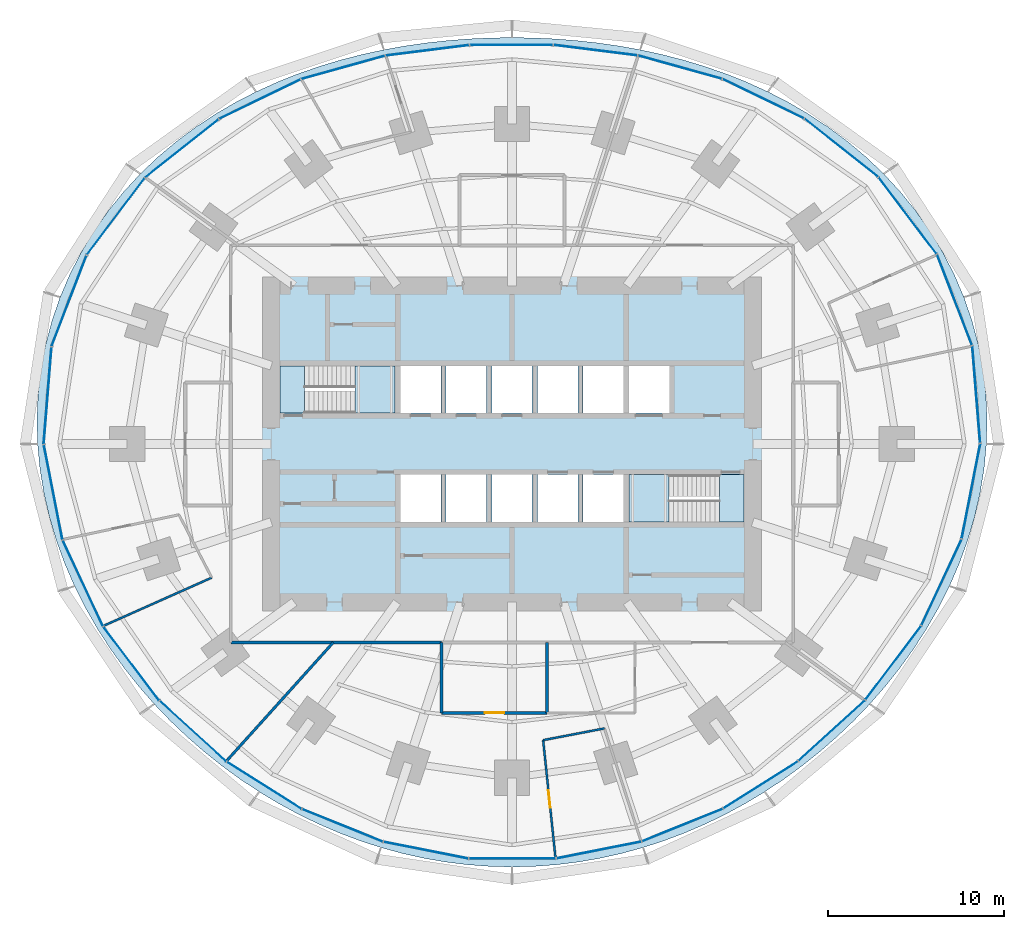
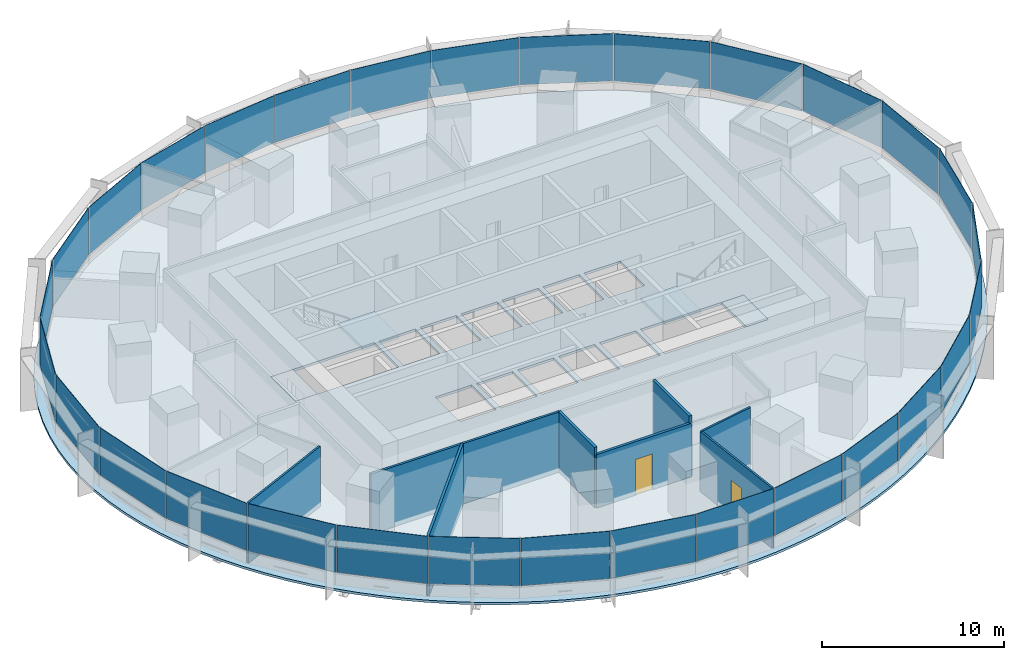
# One storey, part 10 of 15: 30 plates, 8 walls, 5 slabs, 2 doors, 2 openings, 8 elements without a shape of their own.
"""IFC4 building model written with IfcOpenShell, lengths in metres."""

from ifc_helpers import new_model, si_unit, direction, frame, frame_2d, origin, origin_2d, place, context, subcontext, project, spatial, polyline, rectangle, outline, extrude, material, layer, layer_set, type_object, element, fill, aggregate, save


model = new_model("IFC4")

# Units and contexts
model_context = context("Model", 3, precision=1e-05, world=origin(), true_north=direction((0.0, 1.0)))
body_context = subcontext(model_context, "Body", "Model", "MODEL_VIEW")
ifc_project = project(units=[si_unit("LENGTHUNIT", "METRE"), si_unit("AREAUNIT", "SQUARE_METRE"), si_unit("VOLUMEUNIT", "CUBIC_METRE"), si_unit("PLANEANGLEUNIT", "RADIAN"), si_unit("MASSUNIT", "GRAM", prefix="KILO")], contexts=[model_context])

# Site, building, storey
site_placement = place(None, origin())
site = spatial("IfcSite", under=ifc_project, at=site_placement, CompositionType="ELEMENT")
building_placement = place(site_placement, origin())
building = spatial("IfcBuilding", under=site, at=building_placement, Name="Marramba Exchange Tower", CompositionType="ELEMENT")
storey_placement = place(building_placement, frame((0.0, 0.0, 74.199951171875)))
storey = spatial("IfcBuildingStorey", under=building, at=storey_placement, Name="L17", CompositionType="ELEMENT", Elevation=74.199951171875)

# Slab
ifc_material_1 = material(Name="Concrete N40", Category="concrete")
ifc_layer_1 = layer(ifc_material_1, 0.159912109375)
ifc_layer_set_1 = layer_set([ifc_layer_1], Name="Composite floor slab 160")
slab_type_1 = type_object("IfcSlabType", Name="Composite floor slab 160", PredefinedType="FLOOR", material=ifc_layer_set_1)
slab_1_placement = place(storey_placement, frame((0.0, 0.0, -0.159912109375)))
element("IfcSlab", 1, at=slab_1_placement, inside=storey, type_object=slab_type_1, Name="Floor slab L17", PredefinedType="FLOOR", context=body_context, shape_type="SweptSolid", body=[
    extrude(outline(polyline([(27.0, 0.0), (27.035888671875, 1.4169921875), (26.97265625, 2.8349609375), (26.80859375, 4.24609375), (26.5439453125, 5.64208984375), (26.179443359375, 7.0146484375), (25.717529296875, 8.356201171875), (25.16162109375, 9.65869140625), (24.516357421875, 10.915283203125), (23.786865234375, 12.1201171875), (22.9794921875, 13.267333984375), (22.10107421875, 14.3525390625), (21.158447265625, 15.37255859375), (20.159423828125, 16.32470703125), (19.11083984375, 17.20751953125), (18.020263671875, 18.020263671875), (16.89453125, 18.763427734375), (15.740478515625, 19.437744140625), (14.563720703125, 20.04541015625), (13.3701171875, 20.588134765625), (12.164306640625, 21.069091796875), (10.9501953125, 21.4912109375), (9.7314453125, 21.857421875), (8.5107421875, 22.1708984375), (7.289794921875, 22.435302734375), (6.06982421875, 22.6533203125), (4.85205078125, 22.827392578125), (3.636474609375, 22.96044921875), (2.423095703125, 23.053955078125), (1.211181640625, 23.109619140625), (0.0, 23.1279296875), (-1.211181640625, 23.109619140625), (-2.423095703125, 23.053955078125), (-3.636474609375, 22.96044921875), (-4.85205078125, 22.827392578125), (-6.06982421875, 22.6533203125), (-7.289794921875, 22.435302734375), (-8.5107421875, 22.1708984375), (-9.7314453125, 21.857421875), (-10.9501953125, 21.4912109375), (-12.164306640625, 21.069091796875), (-13.3701171875, 20.588134765625), (-14.563720703125, 20.04541015625), (-15.740478515625, 19.437744140625), (-16.89453125, 18.763427734375), (-18.020263671875, 18.020263671875), (-19.11083984375, 17.20751953125), (-20.159423828125, 16.32470703125), (-21.158447265625, 15.37255859375), (-22.10107421875, 14.3525390625), (-22.9794921875, 13.267333984375), (-23.786865234375, 12.1201171875), (-24.516357421875, 10.915283203125), (-25.16162109375, 9.65869140625), (-25.717529296875, 8.356201171875), (-26.179443359375, 7.0146484375), (-26.5439453125, 5.64208984375), (-26.80859375, 4.24609375), (-26.97265625, 2.8349609375), (-27.035888671875, 1.4169921875), (-27.0, 0.0), (-26.8671875, -1.407958984375), (-26.64111328125, -2.800048828125), (-26.326171875, -4.169677734375), (-25.927001953125, -5.510986328125), (-25.44921875, -6.819091796875), (-24.8984375, -8.090087890625), (-24.280517578125, -9.320556640625), (-23.60107421875, -10.5078125), (-22.865234375, -11.650390625), (-22.078369140625, -12.7470703125), (-21.244873046875, -13.796630859375), (-20.36865234375, -14.798583984375), (-19.453369140625, -15.753173828125), (-18.502197265625, -16.659423828125), (-17.517578125, -17.517578125), (-16.501953125, -18.327392578125), (-15.457275390625, -19.088134765625), (-14.385009765625, -19.799072265625), (-13.286865234375, -20.459716796875), (-12.164306640625, -21.069091796875), (-11.01904296875, -21.6259765625), (-9.8525390625, -22.129150390625), (-8.66650390625, -22.577392578125), (-7.463134765625, -22.968994140625), (-6.244140625, -23.30322265625), (-5.01171875, -23.578369140625), (-3.7685546875, -23.793701171875), (-2.51708984375, -23.947998046875), (-1.260009765625, -24.041015625), (0.0, -24.072021484375), (1.260009765625, -24.041015625), (2.51708984375, -23.947998046875), (3.7685546875, -23.793701171875), (5.01171875, -23.578369140625), (6.244140625, -23.30322265625), (7.463134765625, -22.968994140625), (8.66650390625, -22.577392578125), (9.8525390625, -22.129150390625), (11.01904296875, -21.6259765625), (12.164306640625, -21.069091796875), (13.286865234375, -20.459716796875), (14.385009765625, -19.799072265625), (15.457275390625, -19.088134765625), (16.501953125, -18.327392578125), (17.517578125, -17.517578125), (18.502197265625, -16.659423828125), (19.453369140625, -15.753173828125), (20.36865234375, -14.798583984375), (21.244873046875, -13.796630859375), (22.078369140625, -12.7470703125), (22.865234375, -11.650390625), (23.60107421875, -10.5078125), (24.280517578125, -9.320556640625), (24.8984375, -8.090087890625), (25.44921875, -6.819091796875), (25.927001953125, -5.510986328125), (26.326171875, -4.169677734375), (26.64111328125, -2.800048828125), (26.8671875, -1.407958984375), (27.0, 0.0)]), holes=[polyline([(-6.35009765625, 1.75), (-4.050048828125, 1.75), (-4.050048828125, 4.449951171875), (-6.35009765625, 4.449951171875), (-6.35009765625, 1.75)]), polyline([(-3.75, 1.75), (-1.449951171875, 1.75), (-1.449951171875, 4.449951171875), (-3.75, 4.449951171875), (-3.75, 1.75)]), polyline([(-1.14990234375, 1.75), (1.14990234375, 1.75), (1.14990234375, 4.449951171875), (-1.14990234375, 4.449951171875), (-1.14990234375, 1.75)]), polyline([(1.449951171875, 1.75), (3.75, 1.75), (3.75, 4.449951171875), (1.449951171875, 4.449951171875), (1.449951171875, 1.75)]), polyline([(4.050048828125, 1.75), (6.35009765625, 1.75), (6.35009765625, 4.449951171875), (4.050048828125, 4.449951171875), (4.050048828125, 1.75)]), polyline([(-6.35009765625, -4.449951171875), (-4.050048828125, -4.449951171875), (-4.050048828125, -1.75), (-6.35009765625, -1.75), (-6.35009765625, -4.449951171875)]), polyline([(-3.75, -4.449951171875), (-1.449951171875, -4.449951171875), (-1.449951171875, -1.75), (-3.75, -1.75), (-3.75, -4.449951171875)]), polyline([(-1.14990234375, -4.449951171875), (1.14990234375, -4.449951171875), (1.14990234375, -1.75), (-1.14990234375, -1.75), (-1.14990234375, -4.449951171875)]), polyline([(1.449951171875, -4.449951171875), (3.75, -4.449951171875), (3.75, -1.75), (1.449951171875, -1.75), (1.449951171875, -4.449951171875)]), polyline([(4.050048828125, -4.449951171875), (6.35009765625, -4.449951171875), (6.35009765625, -1.75), (4.050048828125, -1.75), (4.050048828125, -4.449951171875)]), polyline([(6.64990234375, 1.75), (8.949951171875, 1.75), (8.949951171875, 4.449951171875), (6.64990234375, 4.449951171875), (6.64990234375, 1.75)]), polyline([(-13.199951171875, 1.75), (-6.64990234375, 1.75), (-6.64990234375, 4.449951171875), (-13.199951171875, 4.449951171875), (-13.199951171875, 1.75)]), polyline([(6.64990234375, -4.449951171875), (13.199951171875, -4.449951171875), (13.199951171875, -1.75), (6.64990234375, -1.75), (6.64990234375, -4.449951171875)])]), origin(), (0.0, 0.0, 1.0), 0.159912109375),
])

# Stair, slabs
ifc_material_2 = material(Name="Concrete N40 (40 MPa)", Category="concrete")
stair_type_1 = type_object("IfcStairType", Name="Exit stair ST1 4200 x 1250", PredefinedType="HALF_TURN_STAIR", material=ifc_material_2)
stair_1_placement = place(storey_placement, origin())
stair_1 = element("IfcStair", 2, at=stair_1_placement, inside=storey, type_object=stair_type_1, Name="Exit stair ST1 L17", PredefinedType="HALF_TURN_STAIR")
ifc_layer_2 = layer(ifc_material_2, 0.199951171875)
ifc_layer_set_2 = layer_set([ifc_layer_2], Name="Stair landing 200")
slab_type_2 = type_object("IfcSlabType", Name="Stair landing 200", PredefinedType="LANDING", material=ifc_layer_set_2)
slab_2_placement = place(storey_placement, frame((0.0, 0.0, -0.199951171875)))
slab_2 = element("IfcSlab", 3, at=slab_2_placement, type_object=slab_type_2, Name="ST1 landing 1", PredefinedType="LANDING", context=body_context, shape_type="SweptSolid", body=[
    extrude(outline(polyline([(-13.199951171875, 1.75), (-11.800048828125, 1.75), (-11.800048828125, 4.449951171875), (-13.199951171875, 4.449951171875), (-13.199951171875, 1.75)])), origin(), (0.0, 0.0, 1.0), 0.199951171875),
])
slab_3_placement = place(storey_placement, frame((0.0, 0.0, 1.900146484375)))
slab_3 = element("IfcSlab", 4, at=slab_3_placement, type_object=slab_type_2, Name="ST1 landing 2", PredefinedType="LANDING", context=body_context, shape_type="SweptSolid", body=[
    extrude(outline(polyline([(-8.93994140625, 1.75), (-6.64990234375, 1.75), (-6.64990234375, 4.449951171875), (-8.93994140625, 4.449951171875), (-8.93994140625, 1.75)])), origin(), (0.0, 0.0, 1.0), 0.199951171875),
])
aggregate(stair_1, [slab_2, slab_3])

stair_type_2 = type_object("IfcStairType", Name="Exit stair ST2 4200 x 1250", PredefinedType="HALF_TURN_STAIR", material=ifc_material_2)
stair_2_placement = place(storey_placement, origin())
stair_2 = element("IfcStair", 5, at=stair_2_placement, inside=storey, type_object=stair_type_2, Name="Exit stair ST2 L17", PredefinedType="HALF_TURN_STAIR")
slab_4_placement = place(storey_placement, frame((0.0, 0.0, -0.199951171875)))
slab_4 = element("IfcSlab", 6, at=slab_4_placement, type_object=slab_type_2, Name="ST2 landing 1", PredefinedType="LANDING", context=body_context, shape_type="SweptSolid", body=[
    extrude(outline(polyline([(11.800048828125, -4.449951171875), (13.199951171875, -4.449951171875), (13.199951171875, -1.75), (11.800048828125, -1.75), (11.800048828125, -4.449951171875)])), origin(), (0.0, 0.0, 1.0), 0.199951171875),
])
slab_5_placement = place(storey_placement, frame((0.0, 0.0, 1.900146484375)))
slab_5 = element("IfcSlab", 7, at=slab_5_placement, type_object=slab_type_2, Name="ST2 landing 2", PredefinedType="LANDING", context=body_context, shape_type="SweptSolid", body=[
    extrude(outline(polyline([(6.64990234375, -4.449951171875), (8.93994140625, -4.449951171875), (8.93994140625, -1.75), (6.64990234375, -1.75), (6.64990234375, -4.449951171875)])), origin(), (0.0, 0.0, 1.0), 0.199951171875),
])
aggregate(stair_2, [slab_4, slab_5])

# Curtain wall, plates
ifc_material_3 = material(Name="Aluminium framing, bronze anodised", Category="aluminium")
curtain_wall_type = type_object("IfcCurtainWallType", Name="Trading floor ribbon curtain wall", PredefinedType="USERDEFINED", material=ifc_material_3)
curtain_wall_1_placement = place(storey_placement, origin())
curtain_wall_1 = element("IfcCurtainWall", 8, at=curtain_wall_1_placement, inside=storey, type_object=curtain_wall_type, Name="Curtain wall CW3 L17 F01-F05", ObjectType="RIBBON CURTAIN WALL", PredefinedType="USERDEFINED")
ifc_material_4 = material(Name="Double glazed unit 10 + 12 + 8.76, bronze tinted", Category="glass")
ifc_layer_3 = layer(ifc_material_4, 0.03076171875)
ifc_layer_set_3 = layer_set([ifc_layer_3], Name="Trading floor ribbon curtain wall panel")
plate_type = type_object("IfcPlateType", Name="Trading floor ribbon curtain wall panel", PredefinedType="CURTAIN_PANEL", material=ifc_layer_set_3)
plate_1_placement = place(storey_placement, frame((26.42333984375, 2.814453125, 0.85986328125), z_axis=(0.0, 0.0, 1.0), x_axis=(-0.080275225953, 0.996772736434, 0.0)))
plate_1 = element("IfcPlate", 9, at=plate_1_placement, type_object=plate_type, Name="CW3 vision panel", PredefinedType="CURTAIN_PANEL", context=body_context, shape_type="SweptSolid", body=[
    extrude(rectangle(XDim=5.52734375, YDim=0.03076171875, at=origin_2d()), origin(), (0.0, 0.0, 1.0), 3.179931640625),
])
plate_2_placement = place(storey_placement, frame((25.188232421875, 8.19921875, 0.85986328125), z_axis=(0.0, 0.0, 1.0), x_axis=(-0.359525510698, 0.933135256626, 0.0)))
plate_2 = element("IfcPlate", 10, at=plate_2_placement, type_object=plate_type, Name="CW3 vision panel", PredefinedType="CURTAIN_PANEL", context=body_context, shape_type="SweptSolid", body=[
    extrude(rectangle(XDim=5.5166015625, YDim=0.03076171875, at=origin_2d()), origin(), (0.0, 0.0, 1.0), 3.179931640625),
])
plate_3_placement = place(storey_placement, frame((22.517822265625, 12.993896484375, 0.85986328125), z_axis=(0.0, 0.0, 1.0), x_axis=(-0.602989765036, 0.797748922445, 0.0)))
plate_3 = element("IfcPlate", 11, at=plate_3_placement, type_object=plate_type, Name="CW3 vision panel", PredefinedType="CURTAIN_PANEL", context=body_context, shape_type="SweptSolid", body=[
    extrude(rectangle(XDim=5.44775390625, YDim=0.03076171875, at=origin_2d()), origin(), (0.0, 0.0, 1.0), 3.179931640625),
])
plate_4_placement = place(storey_placement, frame((18.744384765625, 16.853759765625, 0.85986328125), z_axis=(0.0, 0.0, 1.0), x_axis=(-0.784087949432, 0.620649730166, 0.0)))
plate_4 = element("IfcPlate", 12, at=plate_4_placement, type_object=plate_type, Name="CW3 vision panel", PredefinedType="CURTAIN_PANEL", context=body_context, shape_type="SweptSolid", body=[
    extrude(rectangle(XDim=5.315673828125, YDim=0.03076171875, at=origin_2d()), origin(), (0.0, 0.0, 1.0), 3.179931640625),
])
plate_5_placement = place(storey_placement, frame((14.2978515625, 19.647705078125, 0.85986328125), z_axis=(0.0, 0.0, 1.0), x_axis=(-0.899963433508, 0.43596538664, 0.0)))
plate_5 = element("IfcPlate", 13, at=plate_5_placement, type_object=plate_type, Name="CW3 vision panel", PredefinedType="CURTAIN_PANEL", context=body_context, shape_type="SweptSolid", body=[
    extrude(rectangle(XDim=5.13037109375, YDim=0.03076171875, at=origin_2d()), origin(), (0.0, 0.0, 1.0), 3.179931640625),
])
aggregate(curtain_wall_1, [plate_1, plate_2, plate_3, plate_4, plate_5])

curtain_wall_2_placement = place(storey_placement, origin())
curtain_wall_2 = element("IfcCurtainWall", 14, at=curtain_wall_2_placement, inside=storey, type_object=curtain_wall_type, Name="Curtain wall CW3 L17 F06-F10", ObjectType="RIBBON CURTAIN WALL", PredefinedType="USERDEFINED")
plate_6_placement = place(storey_placement, frame((9.556396484375, 21.4423828125, 0.85986328125), z_axis=(0.0, 0.0, 1.0), x_axis=(-0.963472096649, 0.267808735815, 0.0)))
plate_6 = element("IfcPlate", 15, at=plate_6_placement, type_object=plate_type, Name="CW3 vision panel", PredefinedType="CURTAIN_PANEL", context=body_context, shape_type="SweptSolid", body=[
    extrude(rectangle(XDim=4.929931640625, YDim=0.03076171875, at=origin_2d()), origin(), (0.0, 0.0, 1.0), 3.179931640625),
])
plate_7_placement = place(storey_placement, frame((4.754150390625, 22.407958984375, 0.85986328125), z_axis=(0.0, 0.0, 1.0), x_axis=(-0.992172768738, 0.124872723099, 0.0)))
plate_7 = element("IfcPlate", 16, at=plate_7_placement, type_object=plate_type, Name="CW3 vision panel", PredefinedType="CURTAIN_PANEL", context=body_context, shape_type="SweptSolid", body=[
    extrude(rectangle(XDim=4.77294921875, YDim=0.03076171875, at=origin_2d()), origin(), (0.0, 0.0, 1.0), 3.179931640625),
])
plate_8_placement = place(storey_placement, frame((-0.030029296875, 22.7060546875, 0.85986328125), z_axis=(0.0, 0.0, 1.0), x_axis=(-1.0, 0.0, 0.0)))
plate_8 = element("IfcPlate", 17, at=plate_8_placement, type_object=plate_type, Name="CW3 vision panel", PredefinedType="CURTAIN_PANEL", context=body_context, shape_type="SweptSolid", body=[
    extrude(rectangle(XDim=4.712890625, YDim=0.03076171875, at=origin_2d()), origin(), (0.0, 0.0, 1.0), 3.179931640625),
])
plate_9_placement = place(storey_placement, frame((-4.813720703125, 22.400390625, 0.85986328125), z_axis=(0.0, 0.0, 1.0), x_axis=(-0.992172768738, -0.124872723099, 0.0)))
plate_9 = element("IfcPlate", 18, at=plate_9_placement, type_object=plate_type, Name="CW3 vision panel", PredefinedType="CURTAIN_PANEL", context=body_context, shape_type="SweptSolid", body=[
    extrude(rectangle(XDim=4.77294921875, YDim=0.03076171875, at=origin_2d()), origin(), (0.0, 0.0, 1.0), 3.179931640625),
])
plate_10_placement = place(storey_placement, frame((-9.6142578125, 21.42626953125, 0.85986328125), z_axis=(0.0, 0.0, 1.0), x_axis=(-0.963472096649, -0.267808735815, 0.0)))
plate_10 = element("IfcPlate", 19, at=plate_10_placement, type_object=plate_type, Name="CW3 vision panel", PredefinedType="CURTAIN_PANEL", context=body_context, shape_type="SweptSolid", body=[
    extrude(rectangle(XDim=4.929931640625, YDim=0.03076171875, at=origin_2d()), origin(), (0.0, 0.0, 1.0), 3.179931640625),
])
aggregate(curtain_wall_2, [plate_6, plate_7, plate_8, plate_9, plate_10])

curtain_wall_3_placement = place(storey_placement, origin())
curtain_wall_3 = element("IfcCurtainWall", 20, at=curtain_wall_3_placement, inside=storey, type_object=curtain_wall_type, Name="Curtain wall CW3 L17 F11-F15", ObjectType="RIBBON CURTAIN WALL", PredefinedType="USERDEFINED")
plate_11_placement = place(storey_placement, frame((-14.351806640625, 19.62158203125, 0.85986328125), z_axis=(0.0, 0.0, 1.0), x_axis=(-0.899963433508, -0.43596538664, 0.0)))
plate_11 = element("IfcPlate", 21, at=plate_11_placement, type_object=plate_type, Name="CW3 vision panel", PredefinedType="CURTAIN_PANEL", context=body_context, shape_type="SweptSolid", body=[
    extrude(rectangle(XDim=5.13037109375, YDim=0.03076171875, at=origin_2d()), origin(), (0.0, 0.0, 1.0), 3.179931640625),
])
plate_12_placement = place(storey_placement, frame((-18.79150390625, 16.81640625, 0.85986328125), z_axis=(0.0, 0.0, 1.0), x_axis=(-0.784087949432, -0.620649730166, 0.0)))
plate_12 = element("IfcPlate", 22, at=plate_12_placement, type_object=plate_type, Name="CW3 vision panel", PredefinedType="CURTAIN_PANEL", context=body_context, shape_type="SweptSolid", body=[
    extrude(rectangle(XDim=5.315673828125, YDim=0.03076171875, at=origin_2d()), origin(), (0.0, 0.0, 1.0), 3.179931640625),
])
plate_13_placement = place(storey_placement, frame((-22.553955078125, 12.946044921875, 0.85986328125), z_axis=(0.0, 0.0, 1.0), x_axis=(-0.602989765036, -0.797748922445, 0.0)))
plate_13 = element("IfcPlate", 23, at=plate_13_placement, type_object=plate_type, Name="CW3 vision panel", PredefinedType="CURTAIN_PANEL", context=body_context, shape_type="SweptSolid", body=[
    extrude(rectangle(XDim=5.44775390625, YDim=0.03076171875, at=origin_2d()), origin(), (0.0, 0.0, 1.0), 3.179931640625),
])
plate_14_placement = place(storey_placement, frame((-25.209716796875, 8.14306640625, 0.85986328125), z_axis=(0.0, 0.0, 1.0), x_axis=(-0.359525510698, -0.933135256626, 0.0)))
plate_14 = element("IfcPlate", 24, at=plate_14_placement, type_object=plate_type, Name="CW3 vision panel", PredefinedType="CURTAIN_PANEL", context=body_context, shape_type="SweptSolid", body=[
    extrude(rectangle(XDim=5.5166015625, YDim=0.03076171875, at=origin_2d()), origin(), (0.0, 0.0, 1.0), 3.179931640625),
])
plate_15_placement = place(storey_placement, frame((-26.42822265625, 2.754638671875, 0.85986328125), z_axis=(0.0, 0.0, 1.0), x_axis=(-0.080275225953, -0.996772736434, 0.0)))
plate_15 = element("IfcPlate", 25, at=plate_15_placement, type_object=plate_type, Name="CW3 vision panel", PredefinedType="CURTAIN_PANEL", context=body_context, shape_type="SweptSolid", body=[
    extrude(rectangle(XDim=5.52734375, YDim=0.03076171875, at=origin_2d()), origin(), (0.0, 0.0, 1.0), 3.179931640625),
])
aggregate(curtain_wall_3, [plate_11, plate_12, plate_13, plate_14, plate_15])

curtain_wall_4_placement = place(storey_placement, origin())
curtain_wall_4 = element("IfcCurtainWall", 26, at=curtain_wall_4_placement, inside=storey, type_object=curtain_wall_type, Name="Curtain wall CW3 L17 F16-F20", ObjectType="RIBBON CURTAIN WALL", PredefinedType="USERDEFINED")
plate_16_placement = place(storey_placement, frame((-26.111572265625, -2.74853515625, 0.85986328125), z_axis=(0.0, 0.0, 1.0), x_axis=(0.1922485756, -0.981346261612, 0.0)))
plate_16 = element("IfcPlate", 27, at=plate_16_placement, type_object=plate_type, Name="CW3 vision panel", PredefinedType="CURTAIN_PANEL", context=body_context, shape_type="SweptSolid", body=[
    extrude(rectangle(XDim=5.4814453125, YDim=0.03076171875, at=origin_2d()), origin(), (0.0, 0.0, 1.0), 3.179931640625),
])
plate_17_placement = place(storey_placement, frame((-24.420166015625, -7.928955078125, 0.85986328125), z_axis=(0.0, 0.0, 1.0), x_axis=(0.423477206492, -0.905906758768, 0.0)))
plate_17 = element("IfcPlate", 28, at=plate_17_placement, type_object=plate_type, Name="CW3 vision panel", PredefinedType="CURTAIN_PANEL", context=body_context, shape_type="SweptSolid", body=[
    extrude(rectangle(XDim=5.379150390625, YDim=0.03076171875, at=origin_2d()), origin(), (0.0, 0.0, 1.0), 3.179931640625),
])
plate_18_placement = place(storey_placement, frame((-21.665283203125, -12.503173828125, 0.85986328125), z_axis=(0.0, 0.0, 1.0), x_axis=(0.603040473588, -0.797710591138, 0.0)))
plate_18 = element("IfcPlate", 29, at=plate_18_placement, type_object=plate_type, Name="CW3 vision panel", PredefinedType="CURTAIN_PANEL", context=body_context, shape_type="SweptSolid", body=[
    extrude(rectangle(XDim=5.239501953125, YDim=0.03076171875, at=origin_2d()), origin(), (0.0, 0.0, 1.0), 3.179931640625),
])
plate_19_placement = place(storey_placement, frame((-18.154541015625, -16.350341796875, 0.85986328125), z_axis=(0.0, 0.0, 1.0), x_axis=(0.739589581463, -0.673058133441, 0.0)))
plate_19 = element("IfcPlate", 30, at=plate_19_placement, type_object=plate_type, Name="CW3 vision panel", PredefinedType="CURTAIN_PANEL", context=body_context, shape_type="SweptSolid", body=[
    extrude(rectangle(XDim=5.101806640625, YDim=0.03076171875, at=origin_2d()), origin(), (0.0, 0.0, 1.0), 3.179931640625),
])
plate_20_placement = place(storey_placement, frame((-14.103271484375, -19.4326171875, 0.85986328125), z_axis=(0.0, 0.0, 1.0), x_axis=(0.845790826298, -0.533514646612, 0.0)))
plate_20 = element("IfcPlate", 31, at=plate_20_placement, type_object=plate_type, Name="CW3 vision panel", PredefinedType="CURTAIN_PANEL", context=body_context, shape_type="SweptSolid", body=[
    extrude(rectangle(XDim=4.99853515625, YDim=0.03076171875, at=origin_2d()), origin(), (0.0, 0.0, 1.0), 3.179931640625),
])
aggregate(curtain_wall_4, [plate_16, plate_17, plate_18, plate_19, plate_20])

curtain_wall_5_placement = place(storey_placement, origin())
curtain_wall_5 = element("IfcCurtainWall", 32, at=curtain_wall_5_placement, inside=storey, type_object=curtain_wall_type, Name="Curtain wall CW3 L17 F21-F25", ObjectType="RIBBON CURTAIN WALL", PredefinedType="USERDEFINED")
plate_21_placement = place(storey_placement, frame((-9.644287109375, -21.71240234375, 0.85986328125), z_axis=(0.0, 0.0, 1.0), x_axis=(0.927340673283, -0.374218219325, 0.0)))
plate_21 = element("IfcPlate", 33, at=plate_21_placement, type_object=plate_type, Name="CW3 vision panel", PredefinedType="CURTAIN_PANEL", context=body_context, shape_type="SweptSolid", body=[
    extrude(rectangle(XDim=4.9375, YDim=0.03076171875, at=origin_2d()), origin(), (0.0, 0.0, 1.0), 3.179931640625),
])
plate_22_placement = place(storey_placement, frame((-4.88818359375, -23.1240234375, 0.85986328125), z_axis=(0.0, 0.0, 1.0), x_axis=(0.98100920064, -0.193961202977, 0.0)))
plate_22 = element("IfcPlate", 34, at=plate_22_placement, type_object=plate_type, Name="CW3 vision panel", PredefinedType="CURTAIN_PANEL", context=body_context, shape_type="SweptSolid", body=[
    extrude(rectangle(XDim=4.908935546875, YDim=0.03076171875, at=origin_2d()), origin(), (0.0, 0.0, 1.0), 3.179931640625),
])
plate_23_placement = place(storey_placement, frame((0.030029296875, -23.599853515625, 0.85986328125), z_axis=(0.0, 0.0, 1.0), x_axis=(1.0, 0.0, 0.0)))
plate_23 = element("IfcPlate", 35, at=plate_23_placement, type_object=plate_type, Name="CW3 vision panel", PredefinedType="CURTAIN_PANEL", context=body_context, shape_type="SweptSolid", body=[
    extrude(rectangle(XDim=4.90087890625, YDim=0.03076171875, at=origin_2d()), origin(), (0.0, 0.0, 1.0), 3.179931640625),
])
plate_24_placement = place(storey_placement, frame((4.947021484375, -23.1123046875, 0.85986328125), z_axis=(0.0, 0.0, 1.0), x_axis=(0.98100920064, 0.193961202977, 0.0)))
plate_24 = element("IfcPlate", 36, at=plate_24_placement, type_object=plate_type, Name="CW3 vision panel", PredefinedType="CURTAIN_PANEL", context=body_context, shape_type="SweptSolid", body=[
    extrude(rectangle(XDim=4.908935546875, YDim=0.03076171875, at=origin_2d()), origin(), (0.0, 0.0, 1.0), 3.179931640625),
])
plate_25_placement = place(storey_placement, frame((9.699951171875, -21.68994140625, 0.85986328125), z_axis=(0.0, 0.0, 1.0), x_axis=(0.927340673283, 0.374218219325, 0.0)))
plate_25 = element("IfcPlate", 37, at=plate_25_placement, type_object=plate_type, Name="CW3 vision panel", PredefinedType="CURTAIN_PANEL", context=body_context, shape_type="SweptSolid", body=[
    extrude(rectangle(XDim=4.9375, YDim=0.03076171875, at=origin_2d()), origin(), (0.0, 0.0, 1.0), 3.179931640625),
])
aggregate(curtain_wall_5, [plate_21, plate_22, plate_23, plate_24, plate_25])

curtain_wall_6_placement = place(storey_placement, origin())
curtain_wall_6 = element("IfcCurtainWall", 38, at=curtain_wall_6_placement, inside=storey, type_object=curtain_wall_type, Name="Curtain wall CW3 L17 F26-F30", ObjectType="RIBBON CURTAIN WALL", PredefinedType="USERDEFINED")
plate_26_placement = place(storey_placement, frame((14.15380859375, -19.400634765625, 0.85986328125), z_axis=(0.0, 0.0, 1.0), x_axis=(0.845790826298, 0.533514646612, 0.0)))
plate_26 = element("IfcPlate", 39, at=plate_26_placement, type_object=plate_type, Name="CW3 vision panel", PredefinedType="CURTAIN_PANEL", context=body_context, shape_type="SweptSolid", body=[
    extrude(rectangle(XDim=4.99853515625, YDim=0.03076171875, at=origin_2d()), origin(), (0.0, 0.0, 1.0), 3.179931640625),
])
plate_27_placement = place(storey_placement, frame((18.19873046875, -16.309814453125, 0.85986328125), z_axis=(0.0, 0.0, 1.0), x_axis=(0.739589581463, 0.673058133441, 0.0)))
plate_27 = element("IfcPlate", 40, at=plate_27_placement, type_object=plate_type, Name="CW3 vision panel", PredefinedType="CURTAIN_PANEL", context=body_context, shape_type="SweptSolid", body=[
    extrude(rectangle(XDim=5.101806640625, YDim=0.03076171875, at=origin_2d()), origin(), (0.0, 0.0, 1.0), 3.179931640625),
])
plate_28_placement = place(storey_placement, frame((21.701416015625, -12.455322265625, 0.85986328125), z_axis=(0.0, 0.0, 1.0), x_axis=(0.603040473588, 0.797710591138, 0.0)))
plate_28 = element("IfcPlate", 41, at=plate_28_placement, type_object=plate_type, Name="CW3 vision panel", PredefinedType="CURTAIN_PANEL", context=body_context, shape_type="SweptSolid", body=[
    extrude(rectangle(XDim=5.239501953125, YDim=0.03076171875, at=origin_2d()), origin(), (0.0, 0.0, 1.0), 3.179931640625),
])
plate_29_placement = place(storey_placement, frame((24.44580078125, -7.874755859375, 0.85986328125), z_axis=(0.0, 0.0, 1.0), x_axis=(0.423477206492, 0.905906758768, 0.0)))
plate_29 = element("IfcPlate", 42, at=plate_29_placement, type_object=plate_type, Name="CW3 vision panel", PredefinedType="CURTAIN_PANEL", context=body_context, shape_type="SweptSolid", body=[
    extrude(rectangle(XDim=5.379150390625, YDim=0.03076171875, at=origin_2d()), origin(), (0.0, 0.0, 1.0), 3.179931640625),
])
plate_30_placement = place(storey_placement, frame((26.123046875, -2.689697265625, 0.85986328125), z_axis=(0.0, 0.0, 1.0), x_axis=(0.1922485756, 0.981346261612, 0.0)))
plate_30 = element("IfcPlate", 43, at=plate_30_placement, type_object=plate_type, Name="CW3 vision panel", PredefinedType="CURTAIN_PANEL", context=body_context, shape_type="SweptSolid", body=[
    extrude(rectangle(XDim=5.4814453125, YDim=0.03076171875, at=origin_2d()), origin(), (0.0, 0.0, 1.0), 3.179931640625),
])
aggregate(curtain_wall_6, [plate_26, plate_27, plate_28, plate_29, plate_30])

# Wall
ifc_material_5 = material(Name="Plasterboard on staggered double steel studs, acoustic insulation", Category="steel")
ifc_layer_4 = layer(ifc_material_5, 0.169921875)
ifc_layer_set_4 = layer_set([ifc_layer_4], Name="Acoustic partition 170")
wall_type_1 = type_object("IfcWallType", Name="Acoustic partition 170", PredefinedType="PARTITIONING", material=ifc_layer_set_4)
wall_1_placement = place(storey_placement, frame((-4.0, -11.300048828125, 0.0), z_axis=(0.0, 0.0, 1.0), x_axis=(0.0, -1.0, 0.0)))
element("IfcWall", 44, at=wall_1_placement, inside=storey, type_object=wall_type_1, Name="Acoustic partition L17 08", PredefinedType="PARTITIONING", context=body_context, shape_type="SweptSolid", body=[
    extrude(rectangle(XDim=4.0, YDim=0.169921875, at=frame_2d((2.0, 0.0))), origin(), (0.0, 0.0, 1.0), 4.0400390625),
])

# Wall, opening, door
wall_2_placement = place(storey_placement, frame((-4.0, -15.300048828125, 0.0), z_axis=(0.0, 0.0, 1.0), x_axis=(1.0, 0.0, 0.0)))
wall_2 = element("IfcWall", 45, at=wall_2_placement, inside=storey, type_object=wall_type_1, Name="Acoustic partition L17 10", PredefinedType="PARTITIONING", context=body_context, shape_type="SweptSolid", body=[
    extrude(rectangle(XDim=6.0, YDim=0.169921875, at=frame_2d((3.0, 0.0))), origin(), (0.0, 0.0, 1.0), 3.5859375),
])
opening_1_placement = place(wall_2_placement, frame((2.449951171875, 0.0, 0.0)))
opening_1 = element("IfcOpeningElement", 46, at=opening_1_placement, cuts=wall_2, Name="Opening D15", PredefinedType="OPENING", context=body_context, shape_type="SweptSolid", body=[
    extrude(rectangle(XDim=1.10009765625, YDim=2.39990234375, at=frame_2d((0.550048828125, 1.199951171875))), frame((0.0, 0.094970703125, 0.0), z_axis=(0.0, -1.0, 0.0), x_axis=(1.0, 0.0, 0.0)), (0.0, 0.0, 1.0), 0.18994140625),
])
ifc_material_6 = material(Name="Timber door", Category="wood")
door_type_1 = type_object("IfcDoorType", Name="Glazed meeting room door 1100x2400", OperationType="SINGLE_SWING_LEFT", PredefinedType="DOOR", material=ifc_material_6)
door_1_placement = place(opening_1_placement, origin())
door_1 = element("IfcDoor", 47, at=door_1_placement, inside=storey, type_object=door_type_1, Name="D15 Meeting Room 2 L17", OperationType="SINGLE_SWING_RIGHT", OverallHeight=2.39990234375, OverallWidth=1.10009765625, PredefinedType="DOOR", context=body_context, shape_type="SweptSolid", body=[
    extrude(rectangle(XDim=1.10009765625, YDim=2.39990234375, at=frame_2d((0.550048828125, 1.199951171875))), frame((0.0, 0.02490234375, 0.0), z_axis=(0.0, -1.0, 0.0), x_axis=(1.0, 0.0, 0.0)), (0.0, 0.0, 1.0), 0.050048828125),
])
fill(opening_1, door_1)

# Walls
wall_3_placement = place(storey_placement, frame((2.0, -11.300048828125, 0.0), z_axis=(0.0, 0.0, 1.0), x_axis=(0.0, -1.0, 0.0)))
element("IfcWall", 48, at=wall_3_placement, inside=storey, type_object=wall_type_1, Name="Acoustic partition L17 12", PredefinedType="PARTITIONING", context=body_context, shape_type="SweptSolid", body=[
    extrude(rectangle(XDim=4.0, YDim=0.169921875, at=frame_2d((2.0, 0.0))), origin(), (0.0, 0.0, 1.0), 4.0400390625),
])
ifc_material_7 = material(Name="Plasterboard on steel studs", Category="steel")
ifc_layer_5 = layer(ifc_material_7, 0.1201171875)
ifc_layer_set_5 = layer_set([ifc_layer_5], Name="Partition 120")
wall_type_2 = type_object("IfcWallType", Name="Partition 120", PredefinedType="PARTITIONING", material=ifc_layer_set_5)
wall_4_placement = place(storey_placement, frame((-23.208251953125, -10.3330078125, 0.0), z_axis=(0.0, 0.0, 1.0), x_axis=(0.91354990356, 0.406726657235, 0.0)))
element("IfcWall", 49, at=wall_4_placement, inside=storey, type_object=wall_type_2, Name="Partition L17 04", PredefinedType="PARTITIONING", context=body_context, shape_type="SweptSolid", body=[
    extrude(rectangle(XDim=6.699951171875, YDim=0.1201171875, at=frame_2d((3.35009765625, 0.0))), origin(), (0.0, 0.0, 1.0), 4.0400390625),
])

# Wall, opening, door
wall_5_placement = place(storey_placement, frame((1.771728515625, -16.857177734375, 0.0), z_axis=(0.0, 0.0, 1.0), x_axis=(0.104542522915, -0.994520417539, 0.0)))
wall_5 = element("IfcWall", 50, at=wall_5_placement, inside=storey, type_object=wall_type_2, Name="Partition L17 11", PredefinedType="PARTITIONING", context=body_context, shape_type="SweptSolid", body=[
    extrude(rectangle(XDim=6.699951171875, YDim=0.1201171875, at=frame_2d((3.35009765625, 0.0))), origin(), (0.0, 0.0, 1.0), 4.0400390625),
])
opening_2_placement = place(wall_5_placement, frame((2.875, 0.0, 0.0)))
opening_2 = element("IfcOpeningElement", 51, at=opening_2_placement, cuts=wall_5, Name="Opening D9", PredefinedType="OPENING", context=body_context, shape_type="SweptSolid", body=[
    extrude(rectangle(XDim=1.0, YDim=2.39990234375, at=frame_2d((0.5, 1.199951171875))), frame((0.0, 0.070068359375, 0.0), z_axis=(0.0, -1.0, 0.0), x_axis=(1.0, 0.0, 0.0)), (0.0, 0.0, 1.0), 0.14013671875),
])
door_type_2 = type_object("IfcDoorType", Name="Room door 1000x2400", OperationType="SINGLE_SWING_LEFT", PredefinedType="DOOR", material=ifc_material_6)
door_2_placement = place(opening_2_placement, origin())
door_2 = element("IfcDoor", 52, at=door_2_placement, inside=storey, type_object=door_type_2, Name="D9 Firm Principal Office 3 L17", OperationType="SINGLE_SWING_RIGHT", OverallHeight=2.39990234375, OverallWidth=1.0, PredefinedType="DOOR", context=body_context, shape_type="SweptSolid", body=[
    extrude(rectangle(XDim=1.0, YDim=2.39990234375, at=frame_2d((0.5, 1.199951171875))), frame((0.0, 0.02490234375, 0.0), z_axis=(0.0, -1.0, 0.0), x_axis=(1.0, 0.0, 0.0)), (0.0, 0.0, 1.0), 0.050048828125),
])
fill(opening_2, door_2)

# Walls
wall_6_placement = place(storey_placement, frame((5.259765625, -16.18798828125, 0.0), z_axis=(0.0, 0.0, 1.0), x_axis=(-0.982089213151, -0.188416499842, 0.0)))
element("IfcWall", 53, at=wall_6_placement, inside=storey, type_object=wall_type_2, Name="Partition L17 13", PredefinedType="PARTITIONING", context=body_context, shape_type="SweptSolid", body=[
    extrude(rectangle(XDim=3.5517578125, YDim=0.1201171875, at=frame_2d((1.77587890625, 0.0))), origin(), (0.0, 0.0, 1.0), 4.0400390625),
])
ifc_material_8 = material(Name="Fire-rated plasterboard on steel studs, acoustic insulation", Category="steel")
ifc_layer_6 = layer(ifc_material_8, 0.14990234375)
ifc_layer_set_6 = layer_set([ifc_layer_6], Name="Tenancy wall 150")
wall_type_3 = type_object("IfcWallType", Name="Tenancy wall 150", PredefinedType="PARTITIONING", material=ifc_layer_set_6)
wall_7_placement = place(storey_placement, frame((-10.174560546875, -11.300048828125, 0.0), z_axis=(0.0, 0.0, 1.0), x_axis=(-0.669136564673, -0.743139460544, 0.0)))
element("IfcWall", 54, at=wall_7_placement, inside=storey, type_object=wall_type_3, Name="Tenancy wall L17 06", PredefinedType="PARTITIONING", context=body_context, shape_type="SweptSolid", body=[
    extrude(rectangle(XDim=9.0263671875, YDim=0.14990234375, at=frame_2d((4.51318359375, 0.0))), origin(), (0.0, 0.0, 1.0), 4.0400390625),
])
wall_8_placement = place(storey_placement, frame((-16.0, -11.300048828125, 0.0), z_axis=(0.0, 0.0, 1.0), x_axis=(1.0, 0.0, 0.0)))
element("IfcWall", 55, at=wall_8_placement, inside=storey, type_object=wall_type_3, Name="Tenancy wall L17 07", PredefinedType="PARTITIONING", context=body_context, shape_type="SweptSolid", body=[
    extrude(rectangle(XDim=12.0, YDim=0.14990234375, at=frame_2d((6.0, 0.0))), origin(), (0.0, 0.0, 1.0), 4.0400390625),
])

save(model, "model.ifc")
